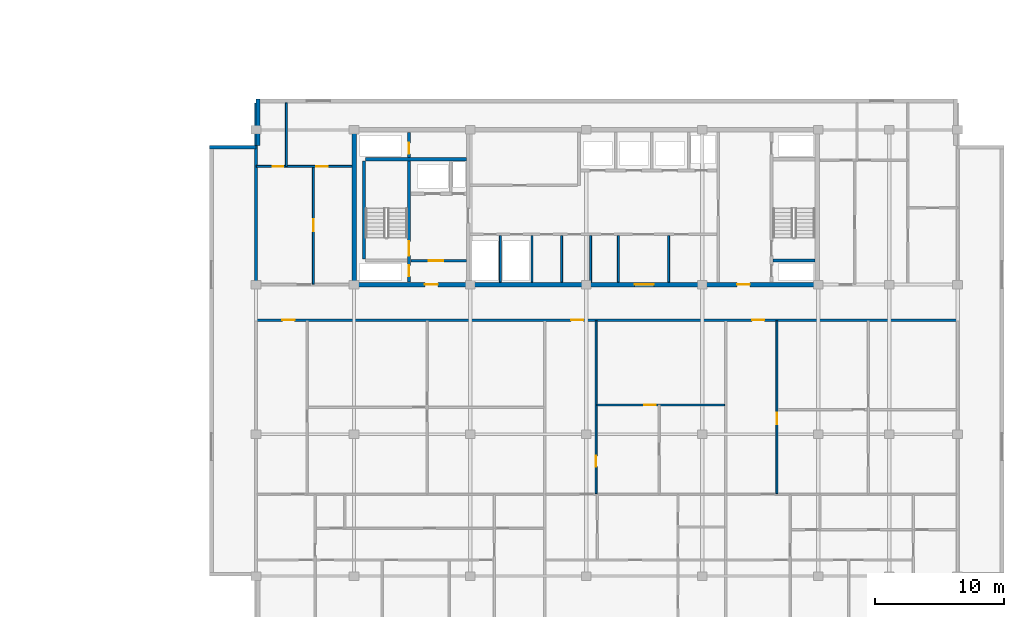
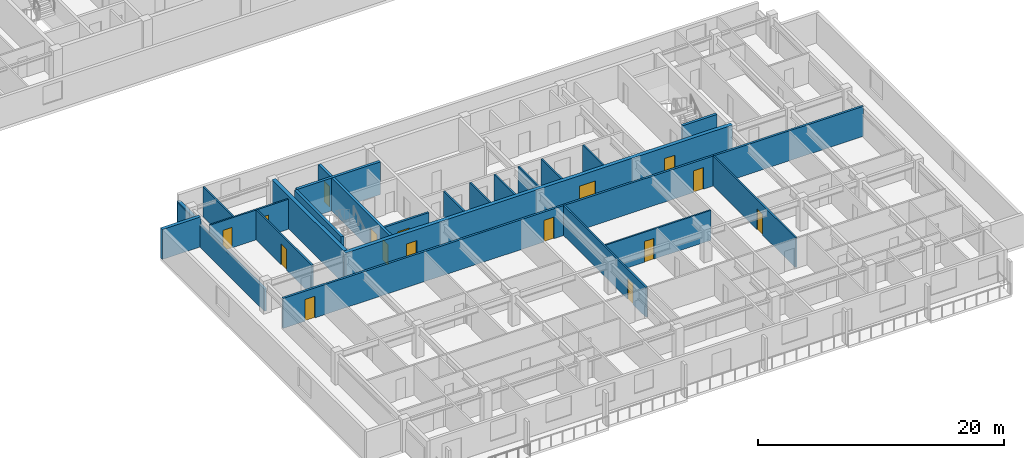
# One storey, part 6 of 22: 23 walls, 16 doors, 16 openings.
"""IFC4 building model written with IfcOpenShell, lengths in metres."""

from ifc_helpers import new_model, si_unit, direction, frame, frame_2d, origin, place, context, subcontext, project, spatial, rectangle, extrude, material, layer, layer_set, type_object, element, fill, save


model = new_model("IFC4")

# Units and contexts
model_context = context("Model", 3, precision=1e-05, world=origin(), true_north=direction((0.0, 1.0)))
body_context = subcontext(model_context, "Body", "Model", "MODEL_VIEW")
ifc_project = project(units=[si_unit("LENGTHUNIT", "METRE"), si_unit("AREAUNIT", "SQUARE_METRE"), si_unit("VOLUMEUNIT", "CUBIC_METRE"), si_unit("PLANEANGLEUNIT", "RADIAN"), si_unit("MASSUNIT", "GRAM", prefix="KILO")], contexts=[model_context])

# Site, building, storey
site_placement = place(None, origin())
site = spatial("IfcSite", under=ifc_project, at=site_placement, CompositionType="ELEMENT")
building_placement = place(site_placement, origin())
building = spatial("IfcBuilding", under=site, at=building_placement, Name="Korimba Cascade Residences", CompositionType="ELEMENT")
storey_placement = place(building_placement, frame((0.0, 0.0, 197.85009765625)))
storey = spatial("IfcBuildingStorey", under=building, at=storey_placement, Name="L57", CompositionType="ELEMENT", Elevation=197.85009765625)

# Walls
ifc_material_1 = material(Name="Precast concrete C40/50", Category="concrete")
ifc_layer_1 = layer(ifc_material_1, 0.300048828125)
ifc_layer_set_1 = layer_set([ifc_layer_1], Name="Precast concrete C40/50")
wall_type_1 = type_object("IfcWallType", Name="EW-STONE-300", PredefinedType="STANDARD", material=ifc_layer_set_1)
wall_1_placement = place(storey_placement, frame((74.64990234375, 32.800048828125, 0.0), z_axis=(0.0, 0.0, 1.0), x_axis=(0.0, -1.0, 0.0)))
element("IfcWall", 1, at=wall_1_placement, inside=storey, type_object=wall_type_1, Name="L57 T2 Perimeter Stone Wall E07", PredefinedType="STANDARD", context=body_context, shape_type="SweptSolid", body=[
    extrude(rectangle(XDim=3.60009765625, YDim=0.300048828125, at=frame_2d((1.800048828125, 0.0))), origin(), (0.0, 0.0, 1.0), 2.2001953125),
])
wall_2_placement = place(storey_placement, frame((74.5, 29.050048828125, 0.0), z_axis=(0.0, 0.0, 1.0), x_axis=(-1.0, 0.0, 0.0)))
element("IfcWall", 2, at=wall_2_placement, inside=storey, type_object=wall_type_1, Name="L57 T2 Perimeter Stone Wall E08", PredefinedType="STANDARD", context=body_context, shape_type="SweptSolid", body=[
    extrude(rectangle(XDim=3.60009765625, YDim=0.300048828125, at=frame_2d((1.800048828125, 0.0))), origin(), (0.0, 0.0, 1.0), 2.969970703125),
])
ifc_material_2 = material(Name="Concrete C65/80", Category="concrete")
ifc_layer_2 = layer(ifc_material_2, 0.35009765625)
ifc_layer_set_2 = layer_set([ifc_layer_2], Name="Concrete C65/80")
wall_type_2 = type_object("IfcWallType", Name="WAL-CORE-350", PredefinedType="SHEAR", material=ifc_layer_set_2)
wall_3_placement = place(storey_placement, frame((82.10009765625, 18.574951171875, 0.0), z_axis=(0.0, 0.0, 1.0), x_axis=(0.0, 1.0, 0.0)))
element("IfcWall", 3, at=wall_3_placement, inside=storey, type_object=wall_type_2, Name="L57 Core Shear Wall CW-L57-T2-W", PredefinedType="SHEAR", context=body_context, shape_type="SweptSolid", body=[
    extrude(rectangle(XDim=11.650146484375, YDim=0.35009765625, at=frame_2d((5.8251953125, 0.0))), origin(), (0.0, 0.0, 1.0), 3.25),
])

# Wall, openings, doors
wall_4_placement = place(storey_placement, frame((81.925048828125, 18.39990234375, 0.0), z_axis=(0.0, 0.0, 1.0), x_axis=(1.0, 0.0, 0.0)))
wall_4 = element("IfcWall", 4, at=wall_4_placement, inside=storey, type_object=wall_type_2, Name="L57 Core Shear Wall CW-L57-T2-S", PredefinedType="SHEAR", context=body_context, shape_type="SweptSolid", body=[
    extrude(rectangle(XDim=36.264892578125, YDim=0.35009765625, at=frame_2d((18.13232421875, 0.0))), origin(), (0.0, 0.0, 1.0), 3.25),
])
opening_1_placement = place(wall_4_placement, frame((5.675048828125, 0.0, 0.0)))
opening_1 = element("IfcOpeningElement", 5, at=opening_1_placement, cuts=wall_4, Name="Opening D-FD5", PredefinedType="OPENING", context=body_context, shape_type="SweptSolid", body=[
    extrude(rectangle(XDim=1.0, YDim=2.14990234375, at=frame_2d((0.5, 1.074951171875))), frame((0.0, 0.18505859375, 0.0), z_axis=(0.0, -1.0, 0.0), x_axis=(1.0, 0.0, 0.0)), (0.0, 0.0, 1.0), 0.3701171875),
])
opening_2_placement = place(wall_4_placement, frame((21.925048828125, 0.0, 0.0)))
opening_2 = element("IfcOpeningElement", 6, at=opening_2_placement, cuts=wall_4, Name="Opening D-FD8", PredefinedType="OPENING", context=body_context, shape_type="SweptSolid", body=[
    extrude(rectangle(XDim=1.5, YDim=2.199951171875, at=frame_2d((0.75, 1.10009765625))), frame((0.0, 0.18505859375, 0.0), z_axis=(0.0, -1.0, 0.0), x_axis=(1.0, 0.0, 0.0)), (0.0, 0.0, 1.0), 0.3701171875),
])
opening_3_placement = place(wall_4_placement, frame((29.875, 0.0, 0.0)))
opening_3 = element("IfcOpeningElement", 7, at=opening_3_placement, cuts=wall_4, Name="Opening D-FD5", PredefinedType="OPENING", context=body_context, shape_type="SweptSolid", body=[
    extrude(rectangle(XDim=1.0, YDim=2.14990234375, at=frame_2d((0.5, 1.074951171875))), frame((0.0, 0.18505859375, 0.0), z_axis=(0.0, -1.0, 0.0), x_axis=(1.0, 0.0, 0.0)), (0.0, 0.0, 1.0), 0.3701171875),
])
ifc_material_3 = material(Name="Fire-Rated Acoustic Timber Vestibule Door", Category="wood")
door_type_1 = type_object("IfcDoorType", Name="DR-FD90-1000", OperationType="NOTDEFINED", PredefinedType="DOOR", material=ifc_material_3)
door_1_placement = place(opening_1_placement, origin())
door_1 = element("IfcDoor", 8, at=door_1_placement, inside=storey, type_object=door_type_1, Name="L57 T2 West Core Vestibule Fire Door", OperationType="SINGLE_SWING_RIGHT", OverallHeight=2.14990234375, OverallWidth=1.0, PredefinedType="DOOR", context=body_context, shape_type="SweptSolid", body=[
    extrude(rectangle(XDim=1.0, YDim=2.14990234375, at=frame_2d((0.5, 1.074951171875))), frame((0.0, 0.02490234375, 0.0), z_axis=(0.0, -1.0, 0.0), x_axis=(1.0, 0.0, 0.0)), (0.0, 0.0, 1.0), 0.050048828125),
])
fill(opening_1, door_1)
door_2_placement = place(opening_3_placement, origin())
door_2 = element("IfcDoor", 9, at=door_2_placement, inside=storey, type_object=door_type_1, Name="L57 T2 East Stair Vestibule Fire Door", OperationType="SINGLE_SWING_LEFT", OverallHeight=2.14990234375, OverallWidth=1.0, PredefinedType="DOOR", context=body_context, shape_type="SweptSolid", body=[
    extrude(rectangle(XDim=1.0, YDim=2.14990234375, at=frame_2d((0.5, 1.074951171875))), frame((0.0, 0.02490234375, 0.0), z_axis=(0.0, -1.0, 0.0), x_axis=(1.0, 0.0, 0.0)), (0.0, 0.0, 1.0), 0.050048828125),
])
fill(opening_3, door_2)
ifc_material_4 = material(Name="Fire-Rated Glazed Lift Lobby Double Door", Category="glass")
door_type_2 = type_object("IfcDoorType", Name="DR-FD90-1500", OperationType="NOTDEFINED", PredefinedType="DOOR", material=ifc_material_4)
door_3_placement = place(opening_2_placement, origin())
door_3 = element("IfcDoor", 10, at=door_3_placement, inside=storey, type_object=door_type_2, Name="L57 T2 Lift Lobby Fire Door", OperationType="DOUBLE_DOOR_SINGLE_SWING", OverallHeight=2.199951171875, OverallWidth=1.5, PredefinedType="DOOR", context=body_context, shape_type="SweptSolid", body=[
    extrude(rectangle(XDim=1.5, YDim=2.199951171875, at=frame_2d((0.75, 1.10009765625))), frame((0.0, 0.02490234375, 0.0), z_axis=(0.0, -1.0, 0.0), x_axis=(1.0, 0.0, 0.0)), (0.0, 0.0, 1.0), 0.050048828125),
])
fill(opening_2, door_3)

# Wall
ifc_layer_3 = layer(ifc_material_1, 0.199951171875)
ifc_layer_set_3 = layer_set([ifc_layer_3], Name="Precast concrete C40/50")
wall_type_3 = type_object("IfcWallType", Name="WAL-IT-200", PredefinedType="PARTITIONING", material=ifc_layer_set_3)
wall_5_placement = place(storey_placement, frame((74.5, 18.39990234375, 0.0), z_axis=(0.0, 0.0, 1.0), x_axis=(0.0, 1.0, 0.0)))
element("IfcWall", 11, at=wall_5_placement, inside=storey, type_object=wall_type_3, Name="L57 Partition Wall WAL-L57-T2-FW-WL", PredefinedType="PARTITIONING", context=body_context, shape_type="SweptSolid", body=[
    extrude(rectangle(XDim=14.10009765625, YDim=0.199951171875, at=frame_2d((7.050048828125, 0.0))), origin(), (0.0, 0.0, 1.0), 2.2001953125),
])

# Wall, openings, doors
wall_6_placement = place(storey_placement, frame((74.5, 15.64990234375, 0.0), z_axis=(0.0, 0.0, 1.0), x_axis=(1.0, 0.0, 0.0)))
wall_6 = element("IfcWall", 12, at=wall_6_placement, inside=storey, type_object=wall_type_3, Name="L57 Partition Wall WAL-L57-T2-CORS", PredefinedType="PARTITIONING", context=body_context, shape_type="SweptSolid", body=[
    extrude(rectangle(XDim=54.39990234375, YDim=0.199951171875, at=frame_2d((27.199951171875, 0.0))), origin(), (0.0, 0.0, 1.0), 2.969970703125),
])
opening_4_placement = place(wall_6_placement, frame((2.044921875, 0.0, 0.0)))
opening_4 = element("IfcOpeningElement", 13, at=opening_4_placement, cuts=wall_6, Name="Opening D-UN1", PredefinedType="OPENING", context=body_context, shape_type="SweptSolid", body=[
    extrude(rectangle(XDim=0.949951171875, YDim=2.14990234375, at=frame_2d((0.47509765625, 1.074951171875))), frame((0.0, 0.10986328125, 0.0), z_axis=(0.0, -1.0, 0.0), x_axis=(1.0, 0.0, 0.0)), (0.0, 0.0, 1.0), 0.219970703125),
])
opening_5_placement = place(wall_6_placement, frame((24.444091796875, 0.0, 0.0)))
opening_5 = element("IfcOpeningElement", 14, at=opening_5_placement, cuts=wall_6, Name="Opening D-UN1", PredefinedType="OPENING", context=body_context, shape_type="SweptSolid", body=[
    extrude(rectangle(XDim=0.949951171875, YDim=2.14990234375, at=frame_2d((0.47509765625, 1.074951171875))), frame((0.0, 0.10986328125, 0.0), z_axis=(0.0, -1.0, 0.0), x_axis=(1.0, 0.0, 0.0)), (0.0, 0.0, 1.0), 0.219970703125),
])
opening_6_placement = place(wall_6_placement, frame((38.46630859375, 0.0, 0.0)))
opening_6 = element("IfcOpeningElement", 15, at=opening_6_placement, cuts=wall_6, Name="Opening D-UN1", PredefinedType="OPENING", context=body_context, shape_type="SweptSolid", body=[
    extrude(rectangle(XDim=0.949951171875, YDim=2.14990234375, at=frame_2d((0.47509765625, 1.074951171875))), frame((0.0, 0.10986328125, 0.0), z_axis=(0.0, -1.0, 0.0), x_axis=(1.0, 0.0, 0.0)), (0.0, 0.0, 1.0), 0.219970703125),
])
ifc_material_5 = material(Name="Fire-Rated Hardwood Apartment Entrance Door", Category="wood")
door_type_3 = type_object("IfcDoorType", Name="DR-FD60-950", OperationType="NOTDEFINED", PredefinedType="DOOR", material=ifc_material_5)
door_4_placement = place(opening_4_placement, origin())
door_4 = element("IfcDoor", 16, at=door_4_placement, inside=storey, type_object=door_type_3, Name="Unit L57-T2-U01 Entrance Door", OperationType="SINGLE_SWING_RIGHT", OverallHeight=2.14990234375, OverallWidth=0.949951171875, PredefinedType="DOOR", context=body_context, shape_type="SweptSolid", body=[
    extrude(rectangle(XDim=0.949951171875, YDim=2.14990234375, at=frame_2d((0.47509765625, 1.074951171875))), frame((0.0, 0.02490234375, 0.0), z_axis=(0.0, -1.0, 0.0), x_axis=(1.0, 0.0, 0.0)), (0.0, 0.0, 1.0), 0.050048828125),
])
fill(opening_4, door_4)
door_5_placement = place(opening_5_placement, origin())
door_5 = element("IfcDoor", 17, at=door_5_placement, inside=storey, type_object=door_type_3, Name="Unit L57-T2-U02 Entrance Door", OperationType="SINGLE_SWING_LEFT", OverallHeight=2.14990234375, OverallWidth=0.949951171875, PredefinedType="DOOR", context=body_context, shape_type="SweptSolid", body=[
    extrude(rectangle(XDim=0.949951171875, YDim=2.14990234375, at=frame_2d((0.47509765625, 1.074951171875))), frame((0.0, 0.02490234375, 0.0), z_axis=(0.0, -1.0, 0.0), x_axis=(1.0, 0.0, 0.0)), (0.0, 0.0, 1.0), 0.050048828125),
])
fill(opening_5, door_5)
door_6_placement = place(opening_6_placement, origin())
door_6 = element("IfcDoor", 18, at=door_6_placement, inside=storey, type_object=door_type_3, Name="Unit L57-T2-U03 Entrance Door", OperationType="SINGLE_SWING_RIGHT", OverallHeight=2.14990234375, OverallWidth=0.949951171875, PredefinedType="DOOR", context=body_context, shape_type="SweptSolid", body=[
    extrude(rectangle(XDim=0.949951171875, YDim=2.14990234375, at=frame_2d((0.47509765625, 1.074951171875))), frame((0.0, 0.02490234375, 0.0), z_axis=(0.0, -1.0, 0.0), x_axis=(1.0, 0.0, 0.0)), (0.0, 0.0, 1.0), 0.050048828125),
])
fill(opening_6, door_6)

# Walls
ifc_material_6 = material(Name="Insulated Acoustic Stud Partition", Category="gypsum")
ifc_layer_4 = layer(ifc_material_6, 0.14990234375)
ifc_layer_set_4 = layer_set([ifc_layer_4], Name="Insulated Acoustic Stud Partition")
wall_type_4 = type_object("IfcWallType", Name="WAL-PART-150", PredefinedType="PARTITIONING", material=ifc_layer_set_4)
for number, where, z_axis, x_axis, name in (
    (19, (93.449951171875, 18.60009765625, 0.0), (0.0, 0.0, 1.0), (0.0, 1.0, 0.0), "L57 Partition Wall CW-L57-T2-ERDIV"),
    (20, (95.89990234375, 18.60009765625, 0.0), (0.0, 0.0, 1.0), (0.0, 1.0, 0.0), "L57 Partition Wall CW-L57-T2-PRDIV"),
    (21, (98.199951171875, 18.60009765625, 0.0), (0.0, 0.0, 1.0), (0.0, 1.0, 0.0), "L57 Partition Wall CW-L57-T2-CA1W1"),
    (22, (100.449951171875, 18.60009765625, 0.0), (0.0, 0.0, 1.0), (0.0, 1.0, 0.0), "L57 Partition Wall CW-L57-T2-CA1W2"),
    (23, (102.60009765625, 18.60009765625, 0.0), (0.0, 0.0, 1.0), (0.0, 1.0, 0.0), "L57 Partition Wall CW-L57-T2-THW"),
    (24, (106.5, 18.60009765625, 0.0), (0.0, 0.0, 1.0), (0.0, 1.0, 0.0), "L57 Partition Wall CW-L57-T2-THE"),
):
    element("IfcWall", number, at=place(storey_placement, frame(where, z_axis=z_axis, x_axis=x_axis)), inside=storey, type_object=wall_type_4, Name=name, PredefinedType="PARTITIONING", context=body_context, shape_type="SweptSolid", body=[
        extrude(rectangle(XDim=3.599853515625, YDim=0.14990234375, at=frame_2d((1.7998046875, 0.0))), origin(), (0.0, 0.0, 1.0), 2.969970703125),
    ])

# Wall, opening, door
wall_7_placement = place(storey_placement, frame((78.945068359375, 18.449951171875, 0.0), z_axis=(0.0, 0.0, 1.0), x_axis=(0.0, 1.0, 0.0)))
wall_7 = element("IfcWall", 25, at=wall_7_placement, inside=storey, type_object=wall_type_4, Name="L57 Partition Wall WAL-L57-T2-FW-VS", PredefinedType="PARTITIONING", context=body_context, shape_type="SweptSolid", body=[
    extrude(rectangle(XDim=9.1201171875, YDim=0.14990234375, at=frame_2d((4.56005859375, 0.0))), origin(), (0.0, 0.0, 1.0), 2.969970703125),
])
opening_7_placement = place(wall_7_placement, frame((4.10009765625, 0.0, 0.0)))
opening_7 = element("IfcOpeningElement", 26, at=opening_7_placement, cuts=wall_7, Name="Opening D-IN1", PredefinedType="OPENING", context=body_context, shape_type="SweptSolid", body=[
    extrude(rectangle(XDim=0.919921875, YDim=2.080078125, at=frame_2d((0.4599609375, 1.0400390625))), frame((0.0, 0.0849609375, 0.0), z_axis=(0.0, -1.0, 0.0), x_axis=(1.0, 0.0, 0.0)), (0.0, 0.0, 1.0), 0.169921875),
])
ifc_material_7 = material(Name="Acoustic Timber Living Door", Category="wood")
door_type_4 = type_object("IfcDoorType", Name="DR-INT-920", OperationType="NOTDEFINED", PredefinedType="DOOR", material=ifc_material_7)
door_7_placement = place(opening_7_placement, origin())
door_7 = element("IfcDoor", 27, at=door_7_placement, inside=storey, type_object=door_type_4, Name="L57-T2-FW Living Door", OperationType="SINGLE_SWING_RIGHT", OverallHeight=2.080078125, OverallWidth=0.919921875, PredefinedType="DOOR", context=body_context, shape_type="SweptSolid", body=[
    extrude(rectangle(XDim=0.919921875, YDim=2.080078125, at=frame_2d((0.4599609375, 1.0400390625))), frame((0.0, 0.02490234375, 0.0), z_axis=(0.0, -1.0, 0.0), x_axis=(1.0, 0.0, 0.0)), (0.0, 0.0, 1.0), 0.050048828125),
])
fill(opening_7, door_7)

# Wall
wall_8_placement = place(storey_placement, frame((76.85009765625, 27.570068359375, 0.0), z_axis=(0.0, 0.0, 1.0), x_axis=(0.0, 1.0, 0.0)))
element("IfcWall", 28, at=wall_8_placement, inside=storey, type_object=wall_type_4, Name="L57 Partition Wall WAL-L57-T2-FW-VN", PredefinedType="PARTITIONING", context=body_context, shape_type="SweptSolid", body=[
    extrude(rectangle(XDim=4.929931640625, YDim=0.14990234375, at=frame_2d((2.46484375, 0.0))), origin(), (0.0, 0.0, 1.0), 2.969970703125),
])

# Wall, openings, doors
wall_9_placement = place(storey_placement, frame((74.52001953125, 27.570068359375, 0.0), z_axis=(0.0, 0.0, 1.0), x_axis=(1.0, 0.0, 0.0)))
wall_9 = element("IfcWall", 29, at=wall_9_placement, inside=storey, type_object=wall_type_4, Name="L57 Partition Wall WAL-L57-T2-FW-H", PredefinedType="PARTITIONING", context=body_context, shape_type="SweptSolid", body=[
    extrude(rectangle(XDim=7.409912109375, YDim=0.14990234375, at=frame_2d((3.705078125, 0.0))), origin(), (0.0, 0.0, 1.0), 2.969970703125),
])
opening_8_placement = place(wall_9_placement, frame((1.266357421875, 0.0, 0.0)))
opening_8 = element("IfcOpeningElement", 30, at=opening_8_placement, cuts=wall_9, Name="Opening D-BT1", PredefinedType="OPENING", context=body_context, shape_type="SweptSolid", body=[
    extrude(rectangle(XDim=0.840087890625, YDim=2.0400390625, at=frame_2d((0.419921875, 1.02001953125))), frame((0.0, 0.0849609375, 0.0), z_axis=(0.0, -1.0, 0.0), x_axis=(1.0, 0.0, 0.0)), (0.0, 0.0, 1.0), 0.169921875),
])
opening_9_placement = place(wall_9_placement, frame((4.64501953125, 0.0, 0.0)))
opening_9 = element("IfcOpeningElement", 31, at=opening_9_placement, cuts=wall_9, Name="Opening D-IN2", PredefinedType="OPENING", context=body_context, shape_type="SweptSolid", body=[
    extrude(rectangle(XDim=0.8798828125, YDim=2.06005859375, at=frame_2d((0.43994140625, 1.030029296875))), frame((0.0, 0.0849609375, 0.0), z_axis=(0.0, -1.0, 0.0), x_axis=(1.0, 0.0, 0.0)), (0.0, 0.0, 1.0), 0.169921875),
])
ifc_material_8 = material(Name="Moisture-Resistant Bathroom Timber Door", Category="wood")
door_type_5 = type_object("IfcDoorType", Name="DR-INT-850", OperationType="NOTDEFINED", PredefinedType="DOOR", material=ifc_material_8)
door_8_placement = place(opening_8_placement, origin())
door_8 = element("IfcDoor", 32, at=door_8_placement, inside=storey, type_object=door_type_5, Name="L57-T2-FW Bathroom Door", OperationType="SINGLE_SWING_LEFT", OverallHeight=2.0400390625, OverallWidth=0.840087890625, PredefinedType="DOOR", context=body_context, shape_type="SweptSolid", body=[
    extrude(rectangle(XDim=0.840087890625, YDim=2.0400390625, at=frame_2d((0.419921875, 1.02001953125))), frame((0.0, 0.02490234375, 0.0), z_axis=(0.0, -1.0, 0.0), x_axis=(1.0, 0.0, 0.0)), (0.0, 0.0, 1.0), 0.050048828125),
])
fill(opening_8, door_8)
ifc_material_9 = material(Name="Acoustic Timber Bedroom Door", Category="wood")
door_type_6 = type_object("IfcDoorType", Name="DR-INT-880", OperationType="NOTDEFINED", PredefinedType="DOOR", material=ifc_material_9)
door_9_placement = place(opening_9_placement, origin())
door_9 = element("IfcDoor", 33, at=door_9_placement, inside=storey, type_object=door_type_6, Name="L57-T2-FW Bedroom Door", OperationType="SINGLE_SWING_RIGHT", OverallHeight=2.06005859375, OverallWidth=0.8798828125, PredefinedType="DOOR", context=body_context, shape_type="SweptSolid", body=[
    extrude(rectangle(XDim=0.8798828125, YDim=2.06005859375, at=frame_2d((0.43994140625, 1.030029296875))), frame((0.0, 0.02490234375, 0.0), z_axis=(0.0, -1.0, 0.0), x_axis=(1.0, 0.0, 0.0)), (0.0, 0.0, 1.0), 0.050048828125),
])
fill(opening_9, door_9)

# Wall, opening, door
wall_10_placement = place(storey_placement, frame((100.92919921875, 9.070068359375, 0.0), z_axis=(0.0, 0.0, 1.0), x_axis=(1.0, 0.0, 0.0)))
wall_10 = element("IfcWall", 34, at=wall_10_placement, inside=storey, type_object=wall_type_4, Name="L57 Partition Wall WAL-L57-T2-U02-FMH", PredefinedType="PARTITIONING", context=body_context, shape_type="SweptSolid", body=[
    extrude(rectangle(XDim=9.912109375, YDim=0.14990234375, at=frame_2d((4.9560546875, 0.0))), origin(), (0.0, 0.0, 1.0), 2.969970703125),
])
opening_10_placement = place(wall_10_placement, frame((3.66845703125, 0.0, 0.0)))
opening_10 = element("IfcOpeningElement", 35, at=opening_10_placement, cuts=wall_10, Name="Opening D-IN2", PredefinedType="OPENING", context=body_context, shape_type="SweptSolid", body=[
    extrude(rectangle(XDim=0.8798828125, YDim=2.06005859375, at=frame_2d((0.43994140625, 1.030029296875))), frame((0.0, 0.0849609375, 0.0), z_axis=(0.0, -1.0, 0.0), x_axis=(1.0, 0.0, 0.0)), (0.0, 0.0, 1.0), 0.169921875),
])
door_10_placement = place(opening_10_placement, origin())
door_10 = element("IfcDoor", 36, at=door_10_placement, inside=storey, type_object=door_type_6, Name="L57-T2-U02 Library Salon Door", OperationType="SINGLE_SWING_LEFT", OverallHeight=2.06005859375, OverallWidth=0.8798828125, PredefinedType="DOOR", context=body_context, shape_type="SweptSolid", body=[
    extrude(rectangle(XDim=0.8798828125, YDim=2.06005859375, at=frame_2d((0.43994140625, 1.030029296875))), frame((0.0, 0.02490234375, 0.0), z_axis=(0.0, -1.0, 0.0), x_axis=(1.0, 0.0, 0.0)), (0.0, 0.0, 1.0), 0.050048828125),
])
fill(opening_10, door_10)

wall_11_placement = place(storey_placement, frame((100.869140625, 2.18994140625, 0.0), z_axis=(0.0, 0.0, 1.0), x_axis=(0.0, 1.0, 0.0)))
wall_11 = element("IfcWall", 37, at=wall_11_placement, inside=storey, type_object=wall_type_4, Name="L57 Partition Wall WAL-L57-T2-U02-FV", PredefinedType="PARTITIONING", context=body_context, shape_type="SweptSolid", body=[
    extrude(rectangle(XDim=13.400146484375, YDim=0.14990234375, at=frame_2d((6.7001953125, 0.0))), origin(), (0.0, 0.0, 1.0), 2.969970703125),
])
opening_11_placement = place(wall_11_placement, frame((2.077880859375, 0.0, 0.0)))
opening_11 = element("IfcOpeningElement", 38, at=opening_11_placement, cuts=wall_11, Name="Opening D-IN2", PredefinedType="OPENING", context=body_context, shape_type="SweptSolid", body=[
    extrude(rectangle(XDim=0.8798828125, YDim=2.06005859375, at=frame_2d((0.43994140625, 1.030029296875))), frame((0.0, 0.0849609375, 0.0), z_axis=(0.0, -1.0, 0.0), x_axis=(1.0, 0.0, 0.0)), (0.0, 0.0, 1.0), 0.169921875),
])
door_11_placement = place(opening_11_placement, origin())
door_11 = element("IfcDoor", 39, at=door_11_placement, inside=storey, type_object=door_type_6, Name="L57-T2-U02 Media Lounge Door", OperationType="SINGLE_SWING_RIGHT", OverallHeight=2.06005859375, OverallWidth=0.8798828125, PredefinedType="DOOR", context=body_context, shape_type="SweptSolid", body=[
    extrude(rectangle(XDim=0.8798828125, YDim=2.06005859375, at=frame_2d((0.43994140625, 1.030029296875))), frame((0.0, 0.02490234375, 0.0), z_axis=(0.0, -1.0, 0.0), x_axis=(1.0, 0.0, 0.0)), (0.0, 0.0, 1.0), 0.050048828125),
])
fill(opening_11, door_11)

wall_12_placement = place(storey_placement, frame((114.891357421875, 2.18994140625, 0.0), z_axis=(0.0, 0.0, 1.0), x_axis=(0.0, 1.0, 0.0)))
wall_12 = element("IfcWall", 40, at=wall_12_placement, inside=storey, type_object=wall_type_4, Name="L57 Partition Wall WAL-L57-T2-U03-FV", PredefinedType="PARTITIONING", context=body_context, shape_type="SweptSolid", body=[
    extrude(rectangle(XDim=13.400146484375, YDim=0.14990234375, at=frame_2d((6.7001953125, 0.0))), origin(), (0.0, 0.0, 1.0), 2.969970703125),
])
opening_12_placement = place(wall_12_placement, frame((5.389892578125, 0.0, 0.0)))
opening_12 = element("IfcOpeningElement", 41, at=opening_12_placement, cuts=wall_12, Name="Opening D-IN2", PredefinedType="OPENING", context=body_context, shape_type="SweptSolid", body=[
    extrude(rectangle(XDim=0.8798828125, YDim=2.06005859375, at=frame_2d((0.43994140625, 1.030029296875))), frame((0.0, 0.0849609375, 0.0), z_axis=(0.0, -1.0, 0.0), x_axis=(1.0, 0.0, 0.0)), (0.0, 0.0, 1.0), 0.169921875),
])
door_12_placement = place(opening_12_placement, origin())
door_12 = element("IfcDoor", 42, at=door_12_placement, inside=storey, type_object=door_type_6, Name="L57-T2-U03 Media Lounge Door", OperationType="SINGLE_SWING_RIGHT", OverallHeight=2.06005859375, OverallWidth=0.8798828125, PredefinedType="DOOR", context=body_context, shape_type="SweptSolid", body=[
    extrude(rectangle(XDim=0.8798828125, YDim=2.06005859375, at=frame_2d((0.43994140625, 1.030029296875))), frame((0.0, 0.02490234375, 0.0), z_axis=(0.0, -1.0, 0.0), x_axis=(1.0, 0.0, 0.0)), (0.0, 0.0, 1.0), 0.050048828125),
])
fill(opening_12, door_12)

ifc_material_10 = material(Name="Concrete C40/50", Category="concrete")
ifc_layer_5 = layer(ifc_material_10, 0.199951171875)
ifc_layer_set_5 = layer_set([ifc_layer_5], Name="Concrete C40/50")
wall_type_5 = type_object("IfcWallType", Name="WAL-PART-200", PredefinedType="PARTITIONING", material=ifc_layer_set_5)
wall_13_placement = place(storey_placement, frame((86.5, 20.25, 0.0), z_axis=(0.0, 0.0, 1.0), x_axis=(1.0, 0.0, 0.0)))
wall_13 = element("IfcWall", 43, at=wall_13_placement, inside=storey, type_object=wall_type_5, Name="L57 Partition Wall CW-L57-T2-FFLS", PredefinedType="PARTITIONING", context=body_context, shape_type="SweptSolid", body=[
    extrude(rectangle(XDim=4.320068359375, YDim=0.199951171875, at=frame_2d((2.16015625, 0.0))), origin(), (0.0, 0.0, 1.0), 2.969970703125),
])
opening_13_placement = place(wall_13_placement, frame((1.39990234375, 0.0, 0.0)))
opening_13 = element("IfcOpeningElement", 44, at=opening_13_placement, cuts=wall_13, Name="Opening D-FD1", PredefinedType="OPENING", context=body_context, shape_type="SweptSolid", body=[
    extrude(rectangle(XDim=1.10009765625, YDim=2.10009765625, at=frame_2d((0.550048828125, 1.050048828125))), frame((0.0, 0.10986328125, 0.0), z_axis=(0.0, -1.0, 0.0), x_axis=(1.0, 0.0, 0.0)), (0.0, 0.0, 1.0), 0.219970703125),
])
ifc_material_11 = material(Name="Fire-Rated Steel Core Door", Category="steel")
door_type_7 = type_object("IfcDoorType", Name="DR-FD120-1100", OperationType="NOTDEFINED", PredefinedType="DOOR", material=ifc_material_11)
door_13_placement = place(opening_13_placement, origin())
door_13 = element("IfcDoor", 45, at=door_13_placement, inside=storey, type_object=door_type_7, Name="L57 T2 Firefighting Lobby Door", OperationType="SINGLE_SWING_RIGHT", OverallHeight=2.10009765625, OverallWidth=1.10009765625, PredefinedType="DOOR", context=body_context, shape_type="SweptSolid", body=[
    extrude(rectangle(XDim=1.10009765625, YDim=2.10009765625, at=frame_2d((0.550048828125, 1.050048828125))), frame((0.0, 0.02490234375, 0.0), z_axis=(0.0, -1.0, 0.0), x_axis=(1.0, 0.0, 0.0)), (0.0, 0.0, 1.0), 0.050048828125),
])
fill(opening_13, door_13)

# Wall
ifc_material_12 = material(Name="Concrete C50/60", Category="concrete")
ifc_layer_6 = layer(ifc_material_12, 0.25)
ifc_layer_set_6 = layer_set([ifc_layer_6], Name="Concrete C50/60")
wall_type_6 = type_object("IfcWallType", Name="WAL-SHAFT-250", PredefinedType="SHEAR", material=ifc_layer_set_6)
wall_14_placement = place(storey_placement, frame((82.875, 20.39990234375, 0.0), z_axis=(0.0, 0.0, 1.0), x_axis=(0.0, 1.0, 0.0)))
element("IfcWall", 46, at=wall_14_placement, inside=storey, type_object=wall_type_6, Name="L57 Core Shear Wall CW-L57-T2-STE1W", PredefinedType="SHEAR", context=body_context, shape_type="SweptSolid", body=[
    extrude(rectangle(XDim=7.60009765625, YDim=0.25, at=frame_2d((3.800048828125, 0.0))), origin(), (0.0, 0.0, 1.0), 3.25),
])

# Wall, openings, doors
wall_15_placement = place(storey_placement, frame((86.364990234375, 18.60009765625, 0.0), z_axis=(0.0, 0.0, 1.0), x_axis=(0.0, 1.0, 0.0)))
wall_15 = element("IfcWall", 47, at=wall_15_placement, inside=storey, type_object=wall_type_6, Name="L57 Core Shear Wall CW-L57-T2-STE1E", PredefinedType="SHEAR", context=body_context, shape_type="SweptSolid", body=[
    extrude(rectangle(XDim=11.599853515625, YDim=0.25, at=frame_2d((5.7998046875, 0.0))), origin(), (0.0, 0.0, 1.0), 3.25),
])
opening_14_placement = place(wall_15_placement, frame((0.449951171875, 0.0, 0.0)))
opening_14 = element("IfcOpeningElement", 48, at=opening_14_placement, cuts=wall_15, Name="Opening D-RS1", PredefinedType="OPENING", context=body_context, shape_type="SweptSolid", body=[
    extrude(rectangle(XDim=0.85009765625, YDim=2.050048828125, at=frame_2d((0.425048828125, 1.02490234375))), frame((0.0, 0.135009765625, 0.0), z_axis=(0.0, -1.0, 0.0), x_axis=(1.0, 0.0, 0.0)), (0.0, 0.0, 1.0), 0.27001953125),
])
opening_15_placement = place(wall_15_placement, frame((2.050048828125, 0.0, 0.0)))
opening_15 = element("IfcOpeningElement", 49, at=opening_15_placement, cuts=wall_15, Name="Opening D-FD1", PredefinedType="OPENING", context=body_context, shape_type="SweptSolid", body=[
    extrude(rectangle(XDim=1.10009765625, YDim=2.10009765625, at=frame_2d((0.550048828125, 1.050048828125))), frame((0.0, 0.135009765625, 0.0), z_axis=(0.0, -1.0, 0.0), x_axis=(1.0, 0.0, 0.0)), (0.0, 0.0, 1.0), 0.27001953125),
])
opening_16_placement = place(wall_15_placement, frame((9.949951171875, 0.0, 0.0)))
opening_16 = element("IfcOpeningElement", 50, at=opening_16_placement, cuts=wall_15, Name="Opening D-RS1", PredefinedType="OPENING", context=body_context, shape_type="SweptSolid", body=[
    extrude(rectangle(XDim=0.85009765625, YDim=2.050048828125, at=frame_2d((0.425048828125, 1.02490234375))), frame((0.0, 0.135009765625, 0.0), z_axis=(0.0, -1.0, 0.0), x_axis=(1.0, 0.0, 0.0)), (0.0, 0.0, 1.0), 0.27001953125),
])
door_14_placement = place(opening_15_placement, origin())
door_14 = element("IfcDoor", 51, at=door_14_placement, inside=storey, type_object=door_type_7, Name="L57 Fire Stair ST-E1 Door", OperationType="SINGLE_SWING_LEFT", OverallHeight=2.10009765625, OverallWidth=1.10009765625, PredefinedType="DOOR", context=body_context, shape_type="SweptSolid", body=[
    extrude(rectangle(XDim=1.10009765625, YDim=2.10009765625, at=frame_2d((0.550048828125, 1.050048828125))), frame((0.0, 0.02490234375, 0.0), z_axis=(0.0, -1.0, 0.0), x_axis=(1.0, 0.0, 0.0)), (0.0, 0.0, 1.0), 0.050048828125),
])
fill(opening_15, door_14)
ifc_material_13 = material(Name="Fire-Rated Steel Riser Access Door", Category="steel")
door_type_8 = type_object("IfcDoorType", Name="DR-FD60-850", OperationType="NOTDEFINED", PredefinedType="DOOR", material=ifc_material_13)
door_15_placement = place(opening_14_placement, origin())
door_15 = element("IfcDoor", 52, at=door_15_placement, inside=storey, type_object=door_type_8, Name="L57 T2 Hydrant Riser Door", OperationType="SINGLE_SWING_RIGHT", OverallHeight=2.050048828125, OverallWidth=0.85009765625, PredefinedType="DOOR", context=body_context, shape_type="SweptSolid", body=[
    extrude(rectangle(XDim=0.85009765625, YDim=2.050048828125, at=frame_2d((0.425048828125, 1.02490234375))), frame((0.0, 0.02490234375, 0.0), z_axis=(0.0, -1.0, 0.0), x_axis=(1.0, 0.0, 0.0)), (0.0, 0.0, 1.0), 0.050048828125),
])
fill(opening_14, door_15)
door_16_placement = place(opening_16_placement, origin())
door_16 = element("IfcDoor", 53, at=door_16_placement, inside=storey, type_object=door_type_8, Name="L57 T2 Smoke Shaft Door", OperationType="SINGLE_SWING_RIGHT", OverallHeight=2.050048828125, OverallWidth=0.85009765625, PredefinedType="DOOR", context=body_context, shape_type="SweptSolid", body=[
    extrude(rectangle(XDim=0.85009765625, YDim=2.050048828125, at=frame_2d((0.425048828125, 1.02490234375))), frame((0.0, 0.02490234375, 0.0), z_axis=(0.0, -1.0, 0.0), x_axis=(1.0, 0.0, 0.0)), (0.0, 0.0, 1.0), 0.050048828125),
])
fill(opening_16, door_16)

# Walls
wall_16_placement = place(storey_placement, frame((83.0, 28.125, 0.0), z_axis=(0.0, 0.0, 1.0), x_axis=(1.0, 0.0, 0.0)))
element("IfcWall", 54, at=wall_16_placement, inside=storey, type_object=wall_type_6, Name="L57 Core Shear Wall CW-L57-T2-STE1N", PredefinedType="SHEAR", context=body_context, shape_type="SweptSolid", body=[
    extrude(rectangle(XDim=7.820068359375, YDim=0.25, at=frame_2d((3.91015625, 0.0))), origin(), (0.0, 0.0, 1.0), 3.25),
])
wall_17_placement = place(storey_placement, frame((114.60009765625, 20.27490234375, 0.0), z_axis=(0.0, 0.0, 1.0), x_axis=(1.0, 0.0, 0.0)))
element("IfcWall", 55, at=wall_17_placement, inside=storey, type_object=wall_type_6, Name="L57 Core Shear Wall CW-L57-T2-STE2S", PredefinedType="SHEAR", context=body_context, shape_type="SweptSolid", body=[
    extrude(rectangle(XDim=3.239990234375, YDim=0.25, at=frame_2d((1.6201171875, 0.0))), origin(), (0.0, 0.0, 1.0), 3.25),
])

save(model, "model.ifc")
